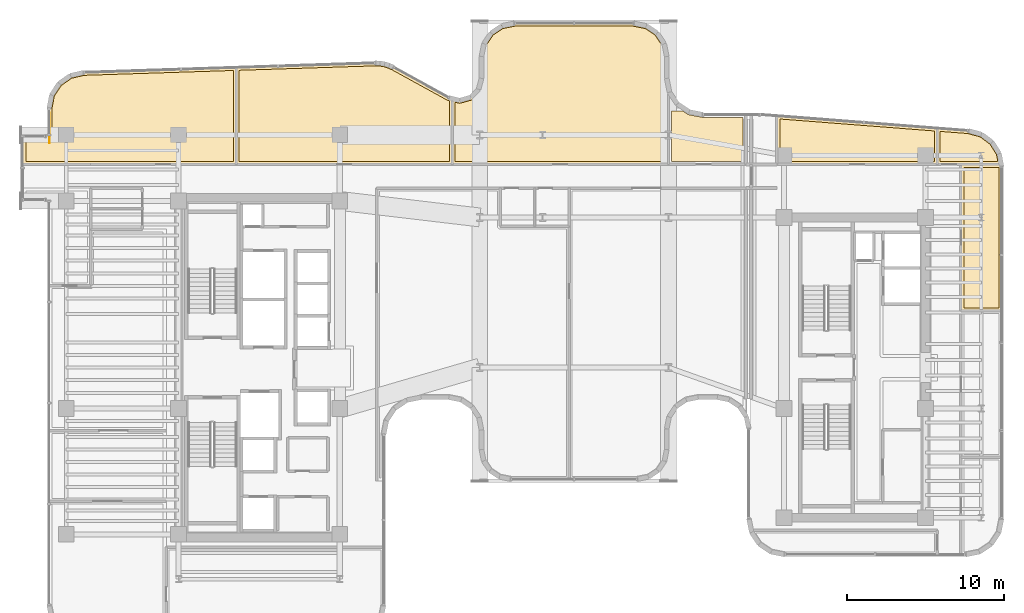
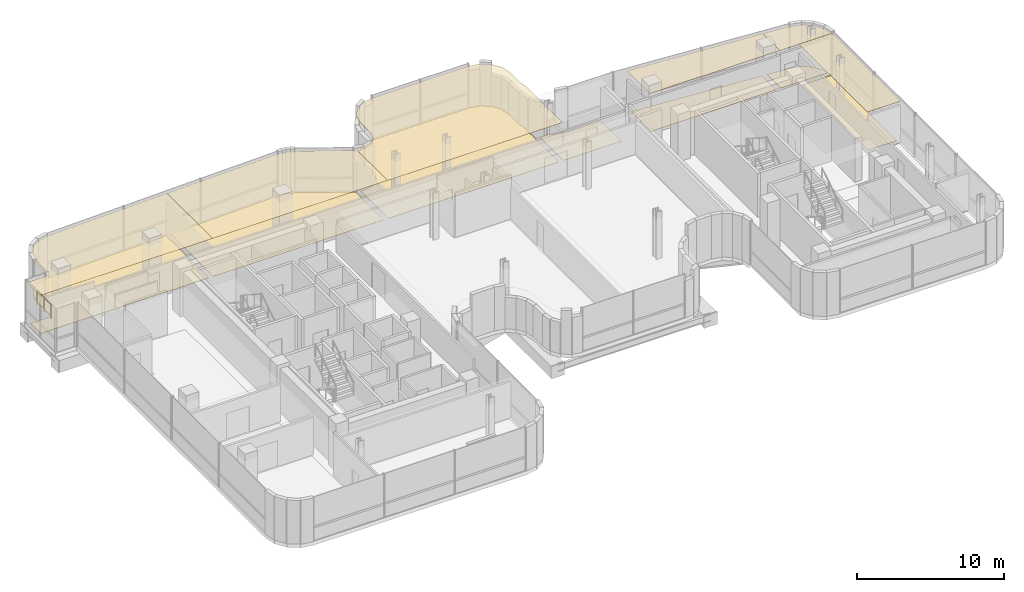
# One storey, part 36 of 37: 13 coverings, 1 railing.
"""IFC4 building model written with IfcOpenShell, lengths in metres."""

from ifc_helpers import new_model, si_unit, direction, frame, origin, origin_2d, place, context, subcontext, project, spatial, polyline, circle, outline, extrude, material, layer, layer_set, type_object, element, save


model = new_model("IFC4")

# Units and contexts
model_context = context("Model", 3, precision=1e-05, world=origin(), true_north=direction((0.0, 1.0)))
body_context = subcontext(model_context, "Body", "Model", "MODEL_VIEW")
ifc_project = project(units=[si_unit("LENGTHUNIT", "METRE"), si_unit("AREAUNIT", "SQUARE_METRE"), si_unit("VOLUMEUNIT", "CUBIC_METRE"), si_unit("PLANEANGLEUNIT", "RADIAN"), si_unit("MASSUNIT", "GRAM", prefix="KILO")], contexts=[model_context])

# Site, building, storey
site_placement = place(None, origin())
site = spatial("IfcSite", under=ifc_project, at=site_placement, CompositionType="ELEMENT")
building_placement = place(site_placement, origin())
building = spatial("IfcBuilding", under=site, at=building_placement, Name="Valdorenza Pilgrim Sanctuary Tower", CompositionType="ELEMENT")
storey_placement = place(building_placement, frame((0.0, 0.0, 188.39990234375)))
storey = spatial("IfcBuildingStorey", under=building, at=storey_placement, Name="L48", CompositionType="ELEMENT", Elevation=188.39990234375)

# Coverings
ifc_material_1 = material(Name="Micro-perforated acoustic mineral ceiling tile", Category="gypsum")
ifc_layer_1 = layer(ifc_material_1, 0.02490234375, Name="Micro-perforated acoustic mineral ceiling tile")
ifc_layer_set_1 = layer_set([ifc_layer_1], Name="Micro-perforated acoustic mineral ceiling tile")
covering_type_1 = type_object("IfcCoveringType", Name="COV-CLG-ACU", PredefinedType="CEILING", material=ifc_layer_set_1)
covering_1_placement = place(storey_placement, frame((0.0, 0.0, 3.330078125)))
element("IfcCovering", 1, at=covering_1_placement, inside=storey, type_object=covering_type_1, Name="L48 Private Banquet Dining Room L48-N1 Acoustic Ceiling", PredefinedType="CEILING", context=body_context, shape_type="SweptSolid", body=[
    extrude(outline(polyline([(-32.5400390625, 12.905029296875), (-32.54150390625, 12.905029296875), (-32.54296875, 12.9052734375), (-32.54443359375, 12.905517578125), (-32.545654296875, 12.906005859375), (-32.547119140625, 12.90673828125), (-32.54833984375, 12.907470703125), (-32.549560546875, 12.908447265625), (-32.550537109375, 12.909423828125), (-32.551513671875, 12.910400390625), (-32.552490234375, 12.91162109375), (-32.55322265625, 12.912841796875), (-32.553955078125, 12.914306640625), (-32.554443359375, 12.91552734375), (-32.5546875, 12.9169921875), (-32.554931640625, 12.91845703125), (-32.554931640625, 12.919921875), (-32.554931640625, 14.68994140625), (-32.554931640625, 14.69140625), (-32.5546875, 14.69287109375), (-32.554443359375, 14.6943359375), (-32.553955078125, 14.69580078125), (-32.55322265625, 14.697021484375), (-32.552490234375, 14.6982421875), (-32.551513671875, 14.699462890625), (-32.550537109375, 14.70068359375), (-32.549560546875, 14.70166015625), (-32.54833984375, 14.702392578125), (-32.547119140625, 14.703125), (-32.545654296875, 14.703857421875), (-32.54443359375, 14.704345703125), (-32.54296875, 14.70458984375), (-32.54150390625, 14.704833984375), (-32.5400390625, 14.705078125), (-31.00048828125, 14.705078125), (-30.99072265625, 14.70556640625), (-30.9814453125, 14.706787109375), (-30.972412109375, 14.708984375), (-30.963623046875, 14.712158203125), (-30.955078125, 14.71630859375), (-30.947265625, 14.720947265625), (-30.939697265625, 14.7265625), (-30.932861328125, 14.73291015625), (-30.926513671875, 14.73974609375), (-30.9208984375, 14.747314453125), (-30.916259765625, 14.755126953125), (-30.912109375, 14.763671875), (-30.9091796875, 14.7724609375), (-30.90673828125, 14.781494140625), (-30.905517578125, 14.790771484375), (-30.905029296875, 14.80029296875), (-30.905029296875, 16.46630859375), (-30.90478515625, 16.4677734375), (-30.90478515625, 16.46923828125), (-30.735595703125, 17.337890625), (-30.735107421875, 17.33935546875), (-30.734619140625, 17.3408203125), (-30.734130859375, 17.342041015625), (-30.7333984375, 17.34326171875), (-30.256591796875, 18.076416015625), (-30.255615234375, 18.077392578125), (-30.254638671875, 18.07861328125), (-30.253662109375, 18.07958984375), (-30.25244140625, 18.08056640625), (-29.535400390625, 18.580810546875), (-29.5341796875, 18.581787109375), (-29.532958984375, 18.58251953125), (-29.531494140625, 18.5830078125), (-29.5302734375, 18.583251953125), (-28.667236328125, 18.780517578125), (-28.665771484375, 18.781005859375), (-28.664306640625, 18.781005859375), (-18.993896484375, 19.095947265625), (-18.9921875, 19.095703125), (-18.99072265625, 19.095703125), (-18.9892578125, 19.09521484375), (-18.98779296875, 19.094970703125), (-18.986572265625, 19.09423828125), (-18.985107421875, 19.093505859375), (-18.98388671875, 19.092529296875), (-18.98291015625, 19.091552734375), (-18.981689453125, 19.090576171875), (-18.98095703125, 19.08935546875), (-18.97998046875, 19.088134765625), (-18.9794921875, 19.086669921875), (-18.97900390625, 19.085205078125), (-18.978515625, 19.083984375), (-18.978515625, 19.08251953125), (-18.978271484375, 19.080810546875), (-18.978271484375, 12.919921875), (-18.978515625, 12.91845703125), (-18.978515625, 12.9169921875), (-18.97900390625, 12.91552734375), (-18.9794921875, 12.914306640625), (-18.97998046875, 12.912841796875), (-18.980712890625, 12.91162109375), (-18.981689453125, 12.910400390625), (-18.982666015625, 12.909423828125), (-18.98388671875, 12.908447265625), (-18.985107421875, 12.907470703125), (-18.986083984375, 12.90673828125), (-18.987548828125, 12.906005859375), (-18.989013671875, 12.905517578125), (-18.990478515625, 12.9052734375), (-18.99169921875, 12.905029296875), (-18.993408203125, 12.905029296875), (-32.5400390625, 12.905029296875)])), origin(), (0.0, 0.0, 1.0), 0.02490234375),
])
covering_2_placement = place(storey_placement, frame((0.0, 0.0, 3.330078125)))
element("IfcCovering", 2, at=covering_2_placement, inside=storey, type_object=covering_type_1, Name="L48 Private Banquet Dining Room L48-N2 Acoustic Ceiling", PredefinedType="CEILING", context=body_context, shape_type="SweptSolid", body=[
    extrude(outline(polyline([(-19.00634765625, 19.080810546875), (-19.00634765625, 19.081787109375), (-19.006103515625, 19.083251953125), (-19.005859375, 19.084716796875), (-19.00537109375, 19.0859375), (-19.0048828125, 19.08740234375), (-19.004150390625, 19.088623046875), (-19.00341796875, 19.090087890625), (-19.002197265625, 19.091064453125), (-19.001220703125, 19.092041015625), (-19.0, 19.093017578125), (-18.998779296875, 19.093994140625), (-18.99755859375, 19.094482421875), (-18.99609375, 19.09521484375), (-18.99462890625, 19.095458984375), (-18.993408203125, 19.095703125), (-18.99169921875, 19.095947265625), (-10.158447265625, 19.383544921875), (-10.157470703125, 19.383544921875), (-9.84765625, 19.372802734375), (-9.845703125, 19.37255859375), (-9.5439453125, 19.3212890625), (-9.5419921875, 19.32080078125), (-9.24951171875, 19.229736328125), (-9.24755859375, 19.22900390625), (-8.966552734375, 19.09814453125), (-8.9658203125, 19.097900390625), (-5.477294921875, 17.178955078125), (-5.469482421875, 17.17529296875), (-5.4619140625, 17.172119140625), (-5.453857421875, 17.169921875), (-5.2431640625, 17.117431640625), (-5.24169921875, 17.1171875), (-5.240478515625, 17.116455078125), (-5.239013671875, 17.115966796875), (-5.238037109375, 17.114990234375), (-5.23681640625, 17.1142578125), (-5.23583984375, 17.11328125), (-5.23486328125, 17.112060546875), (-5.234130859375, 17.111083984375), (-5.2333984375, 17.10986328125), (-5.23291015625, 17.1083984375), (-5.232421875, 17.107177734375), (-5.23193359375, 17.105712890625), (-5.231689453125, 17.104248046875), (-5.231689453125, 17.102783203125), (-5.231689453125, 12.919921875), (-5.231689453125, 12.91845703125), (-5.23193359375, 12.9169921875), (-5.232421875, 12.91552734375), (-5.23291015625, 12.914306640625), (-5.2333984375, 12.912841796875), (-5.234130859375, 12.91162109375), (-5.235107421875, 12.910400390625), (-5.236083984375, 12.909423828125), (-5.2373046875, 12.908447265625), (-5.23828125, 12.907470703125), (-5.239501953125, 12.90673828125), (-5.240966796875, 12.906005859375), (-5.2421875, 12.905517578125), (-5.243896484375, 12.9052734375), (-5.2451171875, 12.905029296875), (-5.24658203125, 12.905029296875), (-18.9912109375, 12.905029296875), (-18.992919921875, 12.905029296875), (-18.994140625, 12.9052734375), (-18.99560546875, 12.905517578125), (-18.9970703125, 12.906005859375), (-18.998291015625, 12.90673828125), (-18.99951171875, 12.907470703125), (-19.000732421875, 12.908447265625), (-19.001953125, 12.909423828125), (-19.0029296875, 12.910400390625), (-19.00390625, 12.91162109375), (-19.00439453125, 12.912841796875), (-19.005126953125, 12.914306640625), (-19.005615234375, 12.91552734375), (-19.006103515625, 12.9169921875), (-19.006103515625, 12.91845703125), (-19.00634765625, 12.919921875), (-19.00634765625, 19.080810546875), (-19.00634765625, 19.080810546875)])), origin(), (0.0, 0.0, 1.0), 0.02490234375),
])
covering_3_placement = place(storey_placement, frame((0.0, 0.0, 3.330078125)))
element("IfcCovering", 3, at=covering_3_placement, inside=storey, type_object=covering_type_1, Name="L48 Private Banquet Dining Room L48-N3 Acoustic Ceiling", PredefinedType="CEILING", context=body_context, shape_type="SweptSolid", body=[
    extrude(outline(polyline([(-5.24462890625, 12.905029296875), (-5.24609375, 12.905029296875), (-5.24755859375, 12.9052734375), (-5.2490234375, 12.905517578125), (-5.25048828125, 12.906005859375), (-5.251708984375, 12.90673828125), (-5.2529296875, 12.907470703125), (-5.254150390625, 12.908447265625), (-5.25537109375, 12.909423828125), (-5.25634765625, 12.910400390625), (-5.257080078125, 12.91162109375), (-5.2578125, 12.912841796875), (-5.258544921875, 12.914306640625), (-5.259033203125, 12.91552734375), (-5.259521484375, 12.9169921875), (-5.259521484375, 12.91845703125), (-5.259765625, 12.919921875), (-5.259765625, 17.102294921875), (-5.259521484375, 17.10400390625), (-5.259521484375, 17.10546875), (-5.259033203125, 17.10693359375), (-5.258544921875, 17.1083984375), (-5.2578125, 17.109619140625), (-5.257080078125, 17.11083984375), (-5.256103515625, 17.112060546875), (-5.255126953125, 17.11328125), (-5.25390625, 17.1142578125), (-5.252685546875, 17.114990234375), (-5.25146484375, 17.11572265625), (-5.25, 17.116455078125), (-5.24853515625, 17.116943359375), (-5.2470703125, 17.1171875), (-5.24560546875, 17.117431640625), (-5.244140625, 17.117431640625), (-5.24267578125, 17.1171875), (-5.2412109375, 17.116943359375), (-4.80615234375, 17.0087890625), (-4.796142578125, 17.0068359375), (-4.786376953125, 17.006103515625), (-4.776611328125, 17.006103515625), (-4.7666015625, 17.00732421875), (-4.756591796875, 17.009765625), (-4.114501953125, 17.19091796875), (-4.104736328125, 17.194091796875), (-4.095947265625, 17.197998046875), (-4.08740234375, 17.203125), (-4.07958984375, 17.208984375), (-4.072021484375, 17.2158203125), (-3.603759765625, 17.69140625), (-3.596923828125, 17.698974609375), (-3.59130859375, 17.70703125), (-3.58642578125, 17.715576171875), (-3.58251953125, 17.724609375), (-3.579345703125, 17.734375), (-3.408203125, 18.37939453125), (-3.406494140625, 18.3876953125), (-3.405517578125, 18.395751953125), (-3.405029296875, 18.404296875), (-3.405029296875, 19.78515625), (-3.40478515625, 19.78662109375), (-3.40478515625, 19.7880859375), (-3.243408203125, 20.599365234375), (-3.242919921875, 20.600830078125), (-3.242431640625, 20.602294921875), (-3.24169921875, 20.603515625), (-3.2412109375, 20.604736328125), (-2.78759765625, 21.283447265625), (-2.786865234375, 21.28466796875), (-2.785888671875, 21.285888671875), (-2.78466796875, 21.286865234375), (-2.783447265625, 21.28759765625), (-2.104736328125, 21.7412109375), (-2.103515625, 21.74169921875), (-2.102294921875, 21.742431640625), (-2.100830078125, 21.742919921875), (-2.099365234375, 21.743408203125), (-1.2880859375, 21.90478515625), (-1.28662109375, 21.90478515625), (-1.28515625, 21.905029296875), (6.28515625, 21.905029296875), (6.28662109375, 21.90478515625), (6.2880859375, 21.90478515625), (7.099365234375, 21.743408203125), (7.100830078125, 21.742919921875), (7.102294921875, 21.742431640625), (7.103515625, 21.74169921875), (7.104736328125, 21.7412109375), (7.783447265625, 21.28759765625), (7.78466796875, 21.286865234375), (7.785888671875, 21.285888671875), (7.786865234375, 21.28466796875), (7.78759765625, 21.283447265625), (8.2412109375, 20.604736328125), (8.24169921875, 20.603515625), (8.242431640625, 20.602294921875), (8.242919921875, 20.600830078125), (8.243408203125, 20.599365234375), (8.40478515625, 19.7880859375), (8.40478515625, 19.78662109375), (8.405029296875, 19.78515625), (8.405029296875, 18.404296875), (8.405517578125, 18.394775390625), (8.406982421875, 18.385009765625), (8.5146484375, 17.84326171875), (8.514892578125, 17.841796875), (8.514892578125, 17.84033203125), (8.514892578125, 12.919921875), (8.514892578125, 12.91845703125), (8.5146484375, 12.9169921875), (8.514404296875, 12.91552734375), (8.513916015625, 12.914306640625), (8.51318359375, 12.912841796875), (8.512451171875, 12.91162109375), (8.51171875, 12.910400390625), (8.510498046875, 12.909423828125), (8.509521484375, 12.908447265625), (8.50830078125, 12.907470703125), (8.507080078125, 12.90673828125), (8.505615234375, 12.906005859375), (8.50439453125, 12.905517578125), (8.5029296875, 12.9052734375), (8.50146484375, 12.905029296875), (8.5, 12.905029296875), (-5.24462890625, 12.905029296875)])), origin(), (0.0, 0.0, 1.0), 0.02490234375),
])
covering_4_placement = place(storey_placement, frame((0.0, 0.0, 3.330078125)))
element("IfcCovering", 4, at=covering_4_placement, inside=storey, type_object=covering_type_1, Name="L48 Curator Research Office L48-BN1 Acoustic Ceiling", PredefinedType="CEILING", context=body_context, shape_type="SweptSolid", body=[
    extrude(outline(polyline([(15.39990234375, 12.905029296875), (15.3984375, 12.905029296875), (15.397216796875, 12.9052734375), (15.3955078125, 12.905517578125), (15.394287109375, 12.906005859375), (15.392822265625, 12.90673828125), (15.3916015625, 12.907470703125), (15.390380859375, 12.908447265625), (15.389404296875, 12.909423828125), (15.388427734375, 12.910400390625), (15.387451171875, 12.91162109375), (15.38671875, 12.912841796875), (15.385986328125, 12.914306640625), (15.385498046875, 12.91552734375), (15.38525390625, 12.9169921875), (15.385009765625, 12.91845703125), (15.385009765625, 12.919921875), (15.385009765625, 16.00439453125), (15.385009765625, 16.006103515625), (15.38525390625, 16.00732421875), (15.385498046875, 16.0087890625), (15.385986328125, 16.01025390625), (15.38671875, 16.011474609375), (15.387451171875, 16.0126953125), (15.38818359375, 16.013916015625), (15.389404296875, 16.014892578125), (15.390380859375, 16.01611328125), (15.3916015625, 16.016845703125), (15.392822265625, 16.017578125), (15.39404296875, 16.018310546875), (15.3955078125, 16.018798828125), (15.396728515625, 16.019287109375), (15.398193359375, 16.019287109375), (15.399658203125, 16.01953125), (15.401123046875, 16.01953125), (25.601318359375, 15.229736328125), (25.6025390625, 15.2294921875), (25.60400390625, 15.229248046875), (25.60546875, 15.228759765625), (25.60693359375, 15.228271484375), (25.608154296875, 15.2275390625), (25.609375, 15.2265625), (25.610595703125, 15.2255859375), (25.611572265625, 15.224609375), (25.6123046875, 15.223388671875), (25.61328125, 15.221923828125), (25.61376953125, 15.220703125), (25.6142578125, 15.21923828125), (25.61474609375, 15.2177734375), (25.614990234375, 15.21630859375), (25.614990234375, 15.21484375), (25.614990234375, 12.919921875), (25.614990234375, 12.91845703125), (25.61474609375, 12.9169921875), (25.614501953125, 12.91552734375), (25.614013671875, 12.914306640625), (25.61328125, 12.912841796875), (25.612548828125, 12.91162109375), (25.611572265625, 12.910400390625), (25.610595703125, 12.909423828125), (25.609619140625, 12.908447265625), (25.6083984375, 12.907470703125), (25.607177734375, 12.90673828125), (25.605712890625, 12.906005859375), (25.6044921875, 12.905517578125), (25.602783203125, 12.9052734375), (25.6015625, 12.905029296875), (25.60009765625, 12.905029296875), (15.39990234375, 12.905029296875)])), origin(), (0.0, 0.0, 1.0), 0.02490234375),
])
covering_5_placement = place(storey_placement, frame((0.0, 0.0, 3.330078125)))
element("IfcCovering", 5, at=covering_5_placement, inside=storey, type_object=covering_type_1, Name="L48 East Wing Reference Library L48-BNE Acoustic Ceiling", PredefinedType="CEILING", context=body_context, shape_type="SweptSolid", body=[
    extrude(outline(polyline([(27.567626953125, 15.07763671875), (27.569091796875, 15.077392578125), (27.570556640625, 15.0771484375), (28.400390625, 14.852783203125), (28.40185546875, 14.852294921875), (28.403076171875, 14.851806640625), (28.404296875, 14.85107421875), (28.405517578125, 14.850341796875), (29.088134765625, 14.344970703125), (29.089111328125, 14.343994140625), (29.090087890625, 14.343017578125), (29.091064453125, 14.342041015625), (29.091796875, 14.3408203125), (29.543212890625, 13.62109375), (29.543701171875, 13.6201171875), (29.544189453125, 13.61865234375), (29.544921875, 13.617431640625), (29.545166015625, 13.615966796875), (29.676025390625, 12.9228515625), (29.67626953125, 12.92138671875), (29.67626953125, 12.919921875), (29.67626953125, 12.91845703125), (29.676025390625, 12.9169921875), (29.67578125, 12.91552734375), (29.67529296875, 12.914306640625), (29.674560546875, 12.912841796875), (29.673828125, 12.91162109375), (29.6728515625, 12.910400390625), (29.671875, 12.9091796875), (29.6708984375, 12.908447265625), (29.669677734375, 12.907470703125), (29.66845703125, 12.90673828125), (29.6669921875, 12.906005859375), (29.665771484375, 12.905517578125), (29.664306640625, 12.9052734375), (29.662841796875, 12.905029296875), (29.661376953125, 12.905029296875), (25.60205078125, 12.905029296875), (25.6005859375, 12.905029296875), (25.59912109375, 12.9052734375), (25.59765625, 12.905517578125), (25.59619140625, 12.906005859375), (25.594970703125, 12.90673828125), (25.59375, 12.907470703125), (25.592529296875, 12.908447265625), (25.59130859375, 12.909423828125), (25.59033203125, 12.910400390625), (25.589599609375, 12.91162109375), (25.5888671875, 12.912841796875), (25.588134765625, 12.914306640625), (25.587646484375, 12.91552734375), (25.58740234375, 12.9169921875), (25.587158203125, 12.91845703125), (25.5869140625, 12.919921875), (25.5869140625, 15.214599609375), (25.587158203125, 15.21630859375), (25.58740234375, 15.217529296875), (25.587646484375, 15.218994140625), (25.588134765625, 15.220458984375), (25.588623046875, 15.2216796875), (25.589599609375, 15.222900390625), (25.59033203125, 15.22412109375), (25.59130859375, 15.22509765625), (25.59228515625, 15.226318359375), (25.593505859375, 15.22705078125), (25.5947265625, 15.227783203125), (25.59619140625, 15.228515625), (25.597412109375, 15.22900390625), (25.598876953125, 15.2294921875), (25.600341796875, 15.2294921875), (25.601806640625, 15.229736328125), (25.603271484375, 15.229736328125), (27.567626953125, 15.07763671875)])), origin(), (0.0, 0.0, 1.0), 0.02490234375),
])
covering_6_placement = place(storey_placement, frame((0.0, 0.0, 3.330078125)))
element("IfcCovering", 6, at=covering_6_placement, inside=storey, type_object=covering_type_1, Name="L48 Private Banquet Dining Room L48-EB3 Acoustic Ceiling", PredefinedType="CEILING", context=body_context, shape_type="SweptSolid", body=[
    extrude(outline(polyline([(27.0849609375, 12.91796875), (27.085205078125, 12.91943359375), (27.085205078125, 12.9208984375), (27.085693359375, 12.92236328125), (27.086181640625, 12.923583984375), (27.0869140625, 12.925048828125), (27.08740234375, 12.92626953125), (27.08837890625, 12.927490234375), (27.08935546875, 12.9287109375), (27.090576171875, 12.9296875), (27.091796875, 12.930419921875), (27.093017578125, 12.93115234375), (27.09423828125, 12.931884765625), (27.095703125, 12.932373046875), (27.09716796875, 12.9326171875), (27.098388671875, 12.932861328125), (27.10009765625, 12.93310546875), (29.660888671875, 12.93310546875), (29.660888671875, 12.93310546875), (29.662353515625, 12.93310546875), (29.663818359375, 12.932861328125), (29.665283203125, 12.9326171875), (29.66650390625, 12.93212890625), (29.66796875, 12.931640625), (29.669189453125, 12.930908203125), (29.67041015625, 12.930419921875), (29.67138671875, 12.929443359375), (29.672607421875, 12.928466796875), (29.673583984375, 12.92724609375), (29.67431640625, 12.926025390625), (29.675048828125, 12.9248046875), (29.67578125, 12.923583984375), (29.676025390625, 12.922119140625), (29.676513671875, 12.9208984375), (29.70458984375, 12.77099609375), (29.704833984375, 12.769775390625), (29.705078125, 12.768310546875), (29.705078125, 3.615234375), (29.704833984375, 3.61376953125), (29.70458984375, 3.6123046875), (29.704345703125, 3.61083984375), (29.703857421875, 3.609619140625), (29.703125, 3.608154296875), (29.702392578125, 3.60693359375), (29.70166015625, 3.605712890625), (29.70068359375, 3.604736328125), (29.699462890625, 3.603759765625), (29.6982421875, 3.602783203125), (29.697021484375, 3.60205078125), (29.69580078125, 3.601318359375), (29.6943359375, 3.600830078125), (29.69287109375, 3.6005859375), (29.69140625, 3.600341796875), (29.68994140625, 3.600341796875), (27.10009765625, 3.600341796875), (27.098388671875, 3.600341796875), (27.09716796875, 3.6005859375), (27.095703125, 3.600830078125), (27.09423828125, 3.601318359375), (27.093017578125, 3.60205078125), (27.091796875, 3.602783203125), (27.090576171875, 3.603759765625), (27.08935546875, 3.604736328125), (27.08837890625, 3.605712890625), (27.08740234375, 3.60693359375), (27.0869140625, 3.608154296875), (27.086181640625, 3.609619140625), (27.085693359375, 3.61083984375), (27.085205078125, 3.6123046875), (27.085205078125, 3.61376953125), (27.0849609375, 3.615234375), (27.0849609375, 12.91796875)])), origin(), (0.0, 0.0, 1.0), 0.02490234375),
])
ifc_material_2 = material(Name="Engineered European oak timber flooring", Category="wood")
ifc_layer_2 = layer(ifc_material_2, 0.02197265625, Name="Engineered European oak timber flooring")
ifc_layer_set_2 = layer_set([ifc_layer_2], Name="Engineered European oak timber flooring")
covering_type_2 = type_object("IfcCoveringType", Name="COV-FLR-OAK", PredefinedType="FLOORING", material=ifc_layer_set_2)
covering_7_placement = place(storey_placement, origin())
element("IfcCovering", 7, at=covering_7_placement, inside=storey, type_object=covering_type_2, Name="L48 Private Banquet Dining Room L48-N1 Flooring", PredefinedType="FLOORING", context=body_context, shape_type="SweptSolid", body=[
    extrude(outline(polyline([(-32.360107421875, 13.10009765625), (-32.360107421875, 14.510009765625), (-31.0, 14.510009765625), (-30.9912109375, 14.51025390625), (-30.98046875, 14.5107421875), (-30.962890625, 14.512451171875), (-30.9521484375, 14.51416015625), (-30.934814453125, 14.517578125), (-30.92431640625, 14.52001953125), (-30.907470703125, 14.525390625), (-30.897216796875, 14.52880859375), (-30.880859375, 14.53564453125), (-30.87109375, 14.540283203125), (-30.855712890625, 14.548583984375), (-30.84619140625, 14.55419921875), (-30.831787109375, 14.56396484375), (-30.822998046875, 14.5703125), (-30.809326171875, 14.58154296875), (-30.80126953125, 14.5888671875), (-30.788818359375, 14.601318359375), (-30.781494140625, 14.609375), (-30.7705078125, 14.623046875), (-30.763916015625, 14.631591796875), (-30.754150390625, 14.646240234375), (-30.74853515625, 14.655517578125), (-30.740234375, 14.671142578125), (-30.735595703125, 14.680908203125), (-30.72900390625, 14.697265625), (-30.725341796875, 14.70751953125), (-30.72021484375, 14.724365234375), (-30.717529296875, 14.73486328125), (-30.714111328125, 14.752197265625), (-30.71240234375, 14.7626953125), (-30.710693359375, 14.780517578125), (-30.710205078125, 14.791259765625), (-30.7099609375, 14.800048828125), (-30.7099609375, 16.448974609375), (-30.55078125, 17.266357421875), (-30.112060546875, 17.940673828125), (-29.45263671875, 18.40087890625), (-28.640625, 18.586669921875), (-19.17333984375, 18.89501953125), (-19.17333984375, 13.10009765625), (-32.360107421875, 13.10009765625)])), origin(), (0.0, 0.0, 1.0), 0.025146484375),
])
covering_8_placement = place(storey_placement, origin())
element("IfcCovering", 8, at=covering_8_placement, inside=storey, type_object=covering_type_2, Name="L48 Private Banquet Dining Room L48-N2 Flooring", PredefinedType="FLOORING", context=body_context, shape_type="SweptSolid", body=[
    extrude(outline(polyline([(-18.811279296875, 13.10009765625), (-18.811279296875, 18.906494140625), (-10.158203125, 19.1884765625), (-9.866455078125, 19.17822265625), (-9.58837890625, 19.131103515625), (-9.319091796875, 19.047119140625), (-9.054443359375, 18.924072265625), (-5.571044921875, 17.008056640625), (-5.564208984375, 17.00439453125), (-5.555419921875, 17.000244140625), (-5.541259765625, 16.993896484375), (-5.532470703125, 16.990478515625), (-5.517822265625, 16.9853515625), (-5.508544921875, 16.982666015625), (-5.501220703125, 16.980712890625), (-5.4267578125, 16.962158203125), (-5.4267578125, 13.10009765625), (-18.811279296875, 13.10009765625)])), origin(), (0.0, 0.0, 1.0), 0.025146484375),
])
covering_9_placement = place(storey_placement, origin())
element("IfcCovering", 9, at=covering_9_placement, inside=storey, type_object=covering_type_2, Name="L48 Private Banquet Dining Room L48-N3 Flooring", PredefinedType="FLOORING", context=body_context, shape_type="SweptSolid", body=[
    extrude(outline(polyline([(-5.064697265625, 13.10009765625), (-5.064697265625, 16.872314453125), (-4.852783203125, 16.819580078125), (-4.84375, 16.8173828125), (-4.83251953125, 16.8154296875), (-4.814208984375, 16.812744140625), (-4.802734375, 16.811767578125), (-4.7841796875, 16.81103515625), (-4.772705078125, 16.811279296875), (-4.754150390625, 16.8125), (-4.74267578125, 16.81396484375), (-4.724365234375, 16.817138671875), (-4.713134765625, 16.819580078125), (-4.7041015625, 16.822021484375), (-4.061279296875, 17.003173828125), (-4.05224609375, 17.005859375), (-4.04150390625, 17.009521484375), (-4.024169921875, 17.0166015625), (-4.013916015625, 17.021240234375), (-3.997314453125, 17.02978515625), (-3.987548828125, 17.03564453125), (-3.971923828125, 17.0458984375), (-3.962890625, 17.052734375), (-3.948486328125, 17.064697265625), (-3.93994140625, 17.072509765625), (-3.933349609375, 17.078857421875), (-3.464599609375, 17.5546875), (-3.458251953125, 17.5615234375), (-3.45068359375, 17.5703125), (-3.43896484375, 17.584716796875), (-3.432373046875, 17.593994140625), (-3.42236328125, 17.609619140625), (-3.41650390625, 17.61962890625), (-3.408203125, 17.63623046875), (-3.403564453125, 17.646728515625), (-3.39697265625, 17.664306640625), (-3.3935546875, 17.675048828125), (-3.390869140625, 17.68408203125), (-3.2197265625, 18.32958984375), (-3.218017578125, 18.337158203125), (-3.2158203125, 18.346435546875), (-3.213134765625, 18.36181640625), (-3.2119140625, 18.37109375), (-3.210693359375, 18.38671875), (-3.210205078125, 18.396240234375), (-3.2099609375, 18.404052734375), (-3.2099609375, 19.767333984375), (-3.05908203125, 20.5263671875), (-2.6455078125, 21.1455078125), (-2.0263671875, 21.55908203125), (-1.267333984375, 21.7099609375), (6.267333984375, 21.7099609375), (7.0263671875, 21.55908203125), (7.6455078125, 21.1455078125), (8.05908203125, 20.5263671875), (8.2099609375, 19.767333984375), (8.2099609375, 18.404052734375), (8.210205078125, 18.395263671875), (8.210693359375, 18.384521484375), (8.21240234375, 18.36669921875), (8.214111328125, 18.356201171875), (8.215576171875, 18.347412109375), (8.320068359375, 17.822509765625), (8.320068359375, 13.10009765625), (-5.064697265625, 13.10009765625)])), origin(), (0.0, 0.0, 1.0), 0.025146484375),
])
covering_10_placement = place(storey_placement, origin())
element("IfcCovering", 10, at=covering_10_placement, inside=storey, type_object=covering_type_2, Name="L48 Private Banquet Dining Room L48-EB3 Flooring", PredefinedType="FLOORING", context=body_context, shape_type="SweptSolid", body=[
    extrude(outline(polyline([(27.280029296875, 12.738037109375), (29.510009765625, 12.738037109375), (29.510009765625, 3.79541015625), (27.280029296875, 3.79541015625), (27.280029296875, 12.738037109375)])), origin(), (0.0, 0.0, 1.0), 0.025146484375),
])
ifc_material_3 = material(Name="Honed travertine stone flooring", Category="masonry")
ifc_layer_3 = layer(ifc_material_3, 0.030029296875, Name="Honed travertine stone flooring")
ifc_layer_set_3 = layer_set([ifc_layer_3], Name="Honed travertine stone flooring")
covering_type_3 = type_object("IfcCoveringType", Name="COV-FLR-TRV", PredefinedType="FLOORING", material=ifc_layer_set_3)
covering_11_placement = place(storey_placement, origin())
element("IfcCovering", 11, at=covering_11_placement, inside=storey, type_object=covering_type_3, Name="L48 East Contemplation Salon L48 Flooring", PredefinedType="FLOORING", context=body_context, shape_type="SweptSolid", body=[
    extrude(outline(polyline([(8.681884765625, 13.10009765625), (8.681884765625, 16.320068359375), (9.41015625, 16.320068359375), (9.699462890625, 16.126708984375), (9.70703125, 16.121826171875), (9.71630859375, 16.116455078125), (9.731689453125, 16.108154296875), (9.74169921875, 16.103515625), (9.7578125, 16.0966796875), (9.76806640625, 16.093017578125), (9.784912109375, 16.087890625), (9.79541015625, 16.085205078125), (9.803955078125, 16.08349609375), (10.6474609375, 15.91552734375), (10.656005859375, 15.9140625), (10.666748046875, 15.91259765625), (10.684326171875, 15.91064453125), (10.6953125, 15.91015625), (10.7041015625, 15.909912109375), (13.239990234375, 15.909912109375), (13.239990234375, 13.10009765625), (8.681884765625, 13.10009765625)])), origin(), (0.0, 0.0, 1.0), 0.025146484375),
])
covering_12_placement = place(storey_placement, origin())
element("IfcCovering", 12, at=covering_12_placement, inside=storey, type_object=covering_type_3, Name="L48 Curator Research Office L48-BN1 Flooring", PredefinedType="FLOORING", context=body_context, shape_type="SweptSolid", body=[
    extrude(outline(polyline([(15.580078125, 13.10009765625), (15.580078125, 15.81005859375), (25.419921875, 15.04833984375), (25.419921875, 13.10009765625), (15.580078125, 13.10009765625)])), origin(), (0.0, 0.0, 1.0), 0.025146484375),
])
covering_13_placement = place(storey_placement, origin())
element("IfcCovering", 13, at=covering_13_placement, inside=storey, type_object=covering_type_3, Name="L48 East Wing Reference Library L48-BNE Flooring", PredefinedType="FLOORING", context=body_context, shape_type="SweptSolid", body=[
    extrude(outline(polyline([(27.535888671875, 14.884521484375), (28.31689453125, 14.67333984375), (28.944580078125, 14.20849609375), (29.35986328125, 13.54638671875), (29.444091796875, 13.10009765625), (25.781982421875, 13.10009765625), (25.781982421875, 15.020263671875), (27.535888671875, 14.884521484375)])), origin(), (0.0, 0.0, 1.0), 0.025146484375),
])

# Railing
ifc_material_4 = material(Name="Stainless steel Grade 316", Category="steel")
railing_type = type_object("IfcRailingType", Name="RLG-GRD-1120", PredefinedType="GUARDRAIL", material=ifc_material_4)
railing_placement = place(storey_placement, frame((-30.860107421875, 14.300048828125, 0.0)))
element("IfcRailing", 14, at=railing_placement, inside=storey, type_object=railing_type, Name="L48 NW Tangent Safety Sill Guard", PredefinedType="GUARDRAIL", context=body_context, shape_type="SweptSolid", body=[
    extrude(circle(Radius=0.02392578125, at=origin_2d()), frame((0.0, 0.0, 1.17578125), z_axis=(0.0, 1.0, 0.0), x_axis=(-1.0, 0.0, 0.0)), (0.0, 0.0, 1.0), 1.89990234375),
    extrude(circle(Radius=0.02099609375, at=origin_2d()), origin(), (0.0, 0.0, 1.0), 1.15185546875),
    extrude(circle(Radius=0.02099609375, at=origin_2d()), frame((0.0, 0.949951171875, 0.0)), (0.0, 0.0, 1.0), 1.15185546875),
    extrude(circle(Radius=0.02099609375, at=origin_2d()), frame((0.0, 1.89990234375, 0.0)), (0.0, 0.0, 1.0), 1.15185546875),
])

save(model, "model.ifc")
